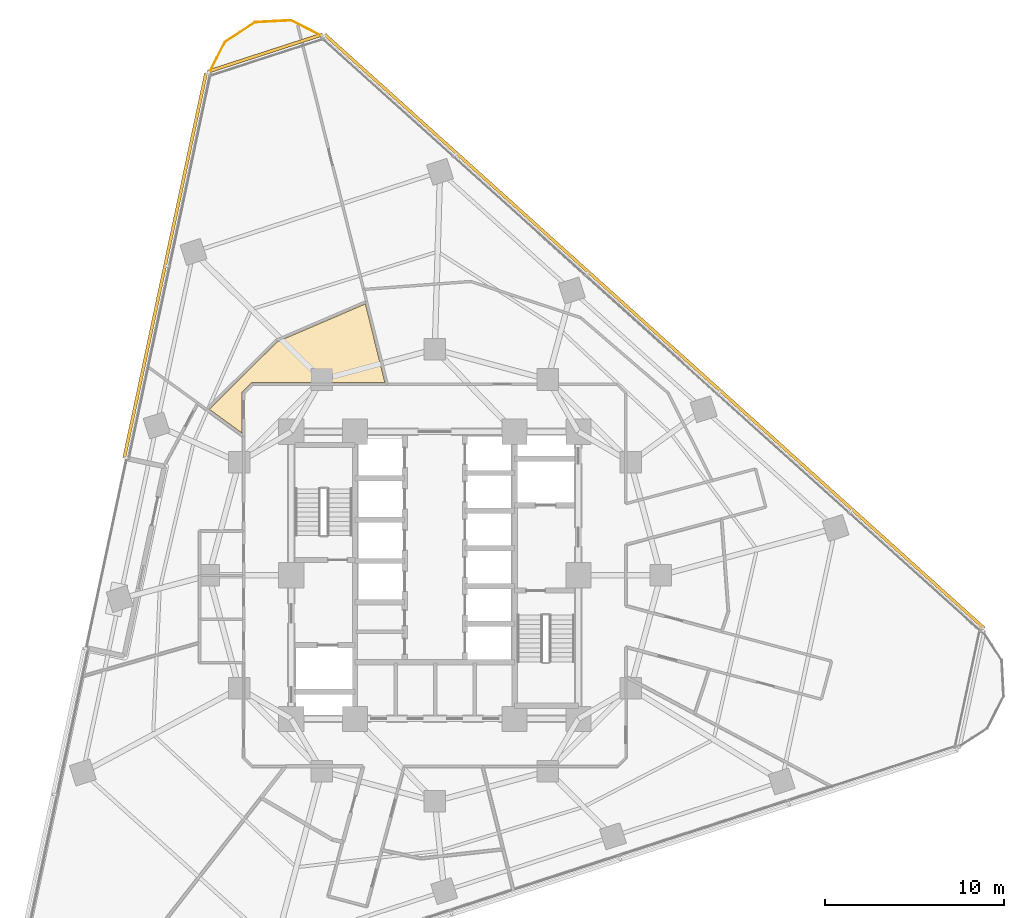
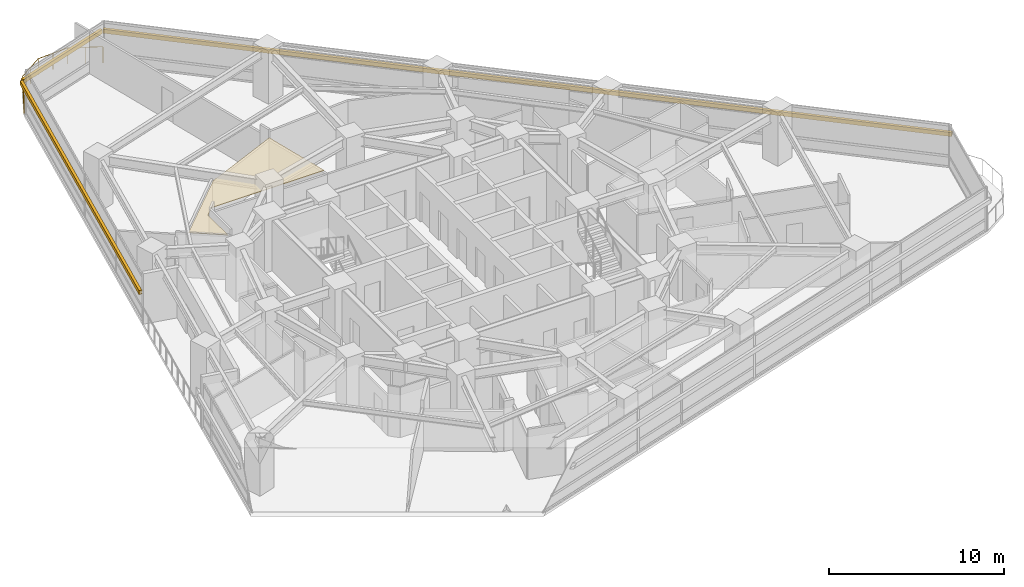
# One storey, part 14 of 14: 3 shading devices, 1 covering, 1 railing.
"""IFC4 building model written with IfcOpenShell, lengths in metres."""

from ifc_helpers import new_model, si_unit, direction, frame, origin, origin_2d, place, context, subcontext, project, spatial, polyline, rectangle, circle, outline, extrude, material, layer, layer_set, type_object, element, save


model = new_model("IFC4")

# Units and contexts
model_context = context("Model", 3, precision=1e-05, world=origin(), true_north=direction((0.0, 1.0)))
body_context = subcontext(model_context, "Body", "Model", "MODEL_VIEW")
ifc_project = project(units=[si_unit("LENGTHUNIT", "METRE"), si_unit("AREAUNIT", "SQUARE_METRE"), si_unit("VOLUMEUNIT", "CUBIC_METRE"), si_unit("PLANEANGLEUNIT", "RADIAN"), si_unit("MASSUNIT", "GRAM", prefix="KILO")], contexts=[model_context])

# Site, building, storey
site_placement = place(None, origin())
site = spatial("IfcSite", under=ifc_project, at=site_placement, CompositionType="ELEMENT")
building_placement = place(site_placement, origin())
building = spatial("IfcBuilding", under=site, at=building_placement, Name="Terralouvre Media Tower", CompositionType="ELEMENT")
storey_placement = place(building_placement, frame((0.0, 0.0, 112.5)))
storey = spatial("IfcBuildingStorey", under=building, at=storey_placement, Name="L28", CompositionType="ELEMENT", Elevation=112.5)

# Covering
ifc_material_1 = material(Name="Perforated aluminium acoustic ceiling baffle", Category="aluminium")
ifc_layer_1 = layer(ifc_material_1, 0.0400390625, Name="Perforated Acoustic Metal Tile Ceiling CL-AC1")
ifc_layer_set_1 = layer_set([ifc_layer_1], Name="Perforated aluminium acoustic ceiling baffle")
covering_type = type_object("IfcCoveringType", Name="Perforated Acoustic Metal Tile Ceiling CL-AC1", PredefinedType="CEILING", material=ifc_layer_set_1)
covering_placement = place(storey_placement, frame((0.0, 0.0, 2.97998046875), z_axis=(0.0, 0.0, 1.0), x_axis=(0.951056516295, 0.309016994375, 0.0)))
element("IfcCovering", 1, at=covering_placement, inside=storey, type_object=covering_type, Name="L28 Intellectual Property Office 11 Acoustic Ceiling", PredefinedType="CEILING", context=body_context, shape_type="SweptSolid", body=[
    extrude(outline(polyline([(-4.32666015625, 15.090087890625), (-9.0947265625, 12.687255859375), (-7.77197265625, 10.867919921875), (-7.08740234375, 12.97509765625), (-7.083740234375, 12.984375), (-7.07958984375, 12.9931640625), (-7.07421875, 13.00146484375), (-7.068359375, 13.00927734375), (-7.0615234375, 13.016357421875), (-7.05419921875, 13.022705078125), (-7.046142578125, 13.0283203125), (-7.03759765625, 13.033447265625), (-6.407470703125, 13.354248046875), (-6.398681640625, 13.3583984375), (-6.389404296875, 13.361572265625), (-6.379638671875, 13.36376953125), (-6.3701171875, 13.364990234375), (-6.360107421875, 13.365234375), (-6.350341796875, 13.364501953125), (-6.3408203125, 13.363037109375), (-6.331298828125, 13.3603515625), (0.675048828125, 11.083740234375), (0.98876953125, 15.57861328125), (-4.32666015625, 15.090087890625)])), origin(), (0.0, 0.0, 1.0), 0.0400390625),
])

# Railing
ifc_material_2 = material(Name="Stainless steel 316 handrail and balustrade", Category="steel")
ifc_layer_2 = layer(ifc_material_2, 0.06005859375, Name="Roof Edge Safety Guardrail GR-ROOF1")
ifc_layer_set_2 = layer_set([ifc_layer_2], Name="Stainless steel 316 handrail and balustrade")
railing_type = type_object("IfcRailingType", Name="Roof Edge Safety Guardrail GR-ROOF1", PredefinedType="GUARDRAIL", material=ifc_layer_set_2)
railing_placement = place(storey_placement, frame((-6.221435546875, 30.015869140625, 0.0)))
element("IfcRailing", 2, at=railing_placement, inside=storey, type_object=railing_type, Name="L28 Wind-Corner Perimeter Safety Guardrail C2", PredefinedType="GUARDRAIL", context=body_context, shape_type="SweptSolid", body=[
    extrude(circle(Radius=0.02099609375, at=origin_2d()), frame((0.0, 0.0, 1.12890625), z_axis=(-0.890922546915, 0.454155276748, 0.0), x_axis=(-0.454155276748, -0.890922546915, 0.0)), (0.0, 0.0, 1.0), 2.0078125),
    extrude(circle(Radius=0.02099609375, at=origin_2d()), frame((-1.788818359375, 0.911865234375, 1.12890625), z_axis=(-0.998637914219, -0.052175820874, 0.0), x_axis=(0.052175820874, -0.998637914219, 0.0)), (0.0, 0.0, 1.0), 2.00732421875),
    extrude(circle(Radius=0.02099609375, at=origin_2d()), frame((-3.79345703125, 0.80712890625, 1.12890625), z_axis=(-0.838632501794, -0.544697647264, 0.0), x_axis=(0.544697647264, -0.838632501794, 0.0)), (0.0, 0.0, 1.0), 2.007568359375),
    extrude(circle(Radius=0.02099609375, at=origin_2d()), frame((-5.47705078125, -0.286376953125, 1.12890625), z_axis=(-0.453767310879, -0.891120209387, 0.0), x_axis=(0.891120209387, -0.453767310879, 0.0)), (0.0, 0.0, 1.0), 2.0078125),
    extrude(circle(Radius=0.01904296875, at=origin_2d()), origin(), (0.0, 0.0, 1.0), 1.10791015625),
    extrude(circle(Radius=0.01904296875, at=origin_2d()), frame((-0.89453125, 0.4560546875, 0.0)), (0.0, 0.0, 1.0), 1.10791015625),
    extrude(circle(Radius=0.01904296875, at=origin_2d()), frame((-1.788818359375, 0.911865234375, 0.0)), (0.0, 0.0, 1.0), 1.10791015625),
    extrude(circle(Radius=0.01904296875, at=origin_2d()), frame((-2.791015625, 0.859375, 0.0)), (0.0, 0.0, 1.0), 1.10791015625),
    extrude(circle(Radius=0.01904296875, at=origin_2d()), frame((-3.79345703125, 0.80712890625, 0.0)), (0.0, 0.0, 1.0), 1.10791015625),
    extrude(circle(Radius=0.01904296875, at=origin_2d()), frame((-4.63525390625, 0.26025390625, 0.0)), (0.0, 0.0, 1.0), 1.10791015625),
    extrude(circle(Radius=0.01904296875, at=origin_2d()), frame((-5.47705078125, -0.286376953125, 0.0)), (0.0, 0.0, 1.0), 1.10791015625),
    extrude(circle(Radius=0.01904296875, at=origin_2d()), frame((-5.9326171875, -1.18115234375, 0.0)), (0.0, 0.0, 1.0), 1.10791015625),
    extrude(circle(Radius=0.01904296875, at=origin_2d()), frame((-6.38818359375, -2.07568359375, 0.0)), (0.0, 0.0, 1.0), 1.10791015625),
])

# Shading devices
ifc_material_3 = material(Name="Extruded terracotta baguette sunshade louvres", Category="masonry")
shading_device_type = type_object("IfcShadingDeviceType", Name="Terracotta Baguette Sunshade Louvre Screen TB-LV1", PredefinedType="USERDEFINED", material=ifc_material_3)
shading_device_1_placement = place(storey_placement, frame((12.23974609375, 13.59375, 2.02392578125), z_axis=(0.0, 0.0, 1.0), x_axis=(-0.743144795545, 0.669130639602, 0.0)))
element("IfcShadingDevice", 3, at=shading_device_1_placement, inside=storey, type_object=shading_device_type, Name="CW-L28-F1 Terracotta Baguette Sunshade Louvre", ObjectType="BAGUETTE", PredefinedType="USERDEFINED", context=body_context, shape_type="SweptSolid", body=[
    extrude(rectangle(XDim=49.43994140625, YDim=0.179931640625, at=origin_2d()), origin(), (0.0, 0.0, 1.0), 0.280029296875),
])
shading_device_2_placement = place(storey_placement, frame((-15.031494140625, 17.262451171875, 2.02392578125), z_axis=(0.0, 0.0, 1.0), x_axis=(-0.207911898634, -0.978147556561, 0.0)))
element("IfcShadingDevice", 4, at=shading_device_2_placement, inside=storey, type_object=shading_device_type, Name="CW-L28-F2L Terracotta Baguette Sunshade Louvre", ObjectType="BAGUETTE", PredefinedType="USERDEFINED", context=body_context, shape_type="SweptSolid", body=[
    extrude(rectangle(XDim=21.919921875, YDim=0.179931640625, at=origin_2d()), origin(), (0.0, 0.0, 1.0), 0.280029296875),
])
shading_device_3_placement = place(storey_placement, frame((-9.457275390625, 29.106201171875, 2.02392578125), z_axis=(0.0, 0.0, 1.0), x_axis=(-0.951056286408, -0.309017701894, 0.0)))
element("IfcShadingDevice", 5, at=shading_device_3_placement, inside=storey, type_object=shading_device_type, Name="CW-L28-C2 Terracotta Baguette Sunshade Louvre", ObjectType="BAGUETTE", PredefinedType="USERDEFINED", context=body_context, shape_type="SweptSolid", body=[
    extrude(rectangle(XDim=6.720458984375, YDim=0.179931640625, at=origin_2d()), origin(), (0.0, 0.0, 1.0), 0.280029296875),
])

save(model, "model.ifc")
